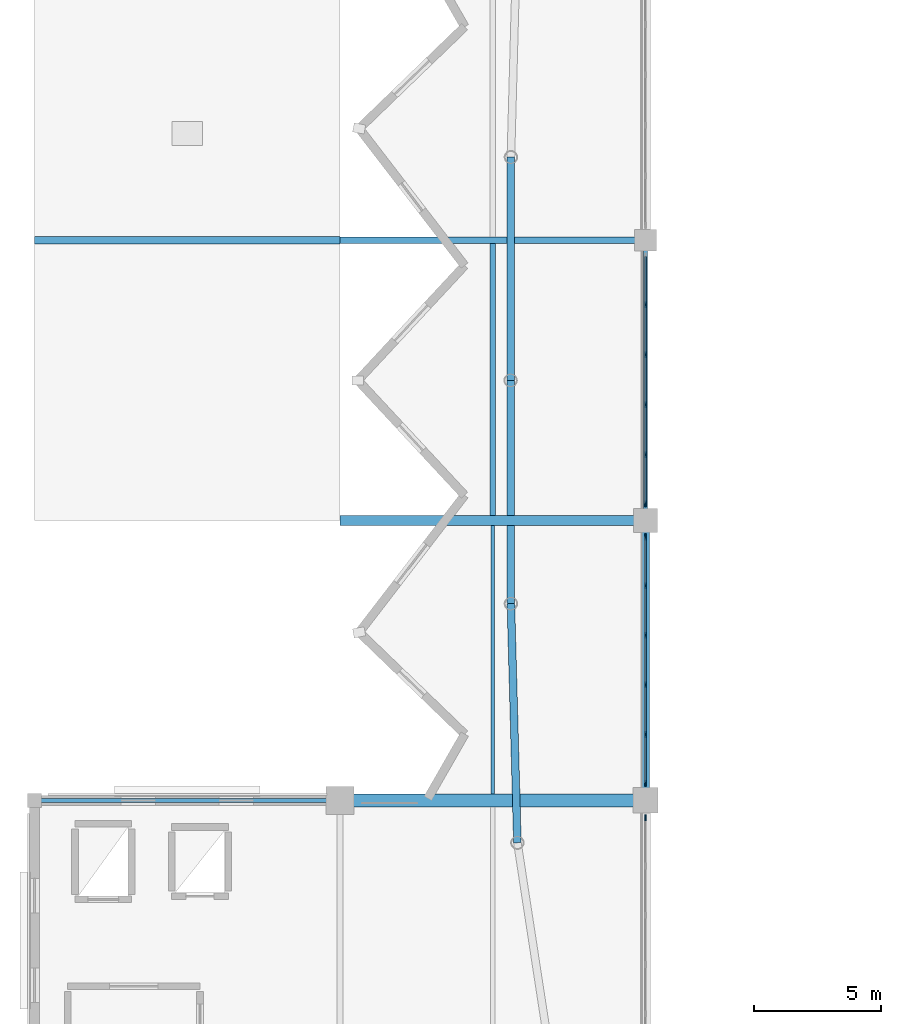
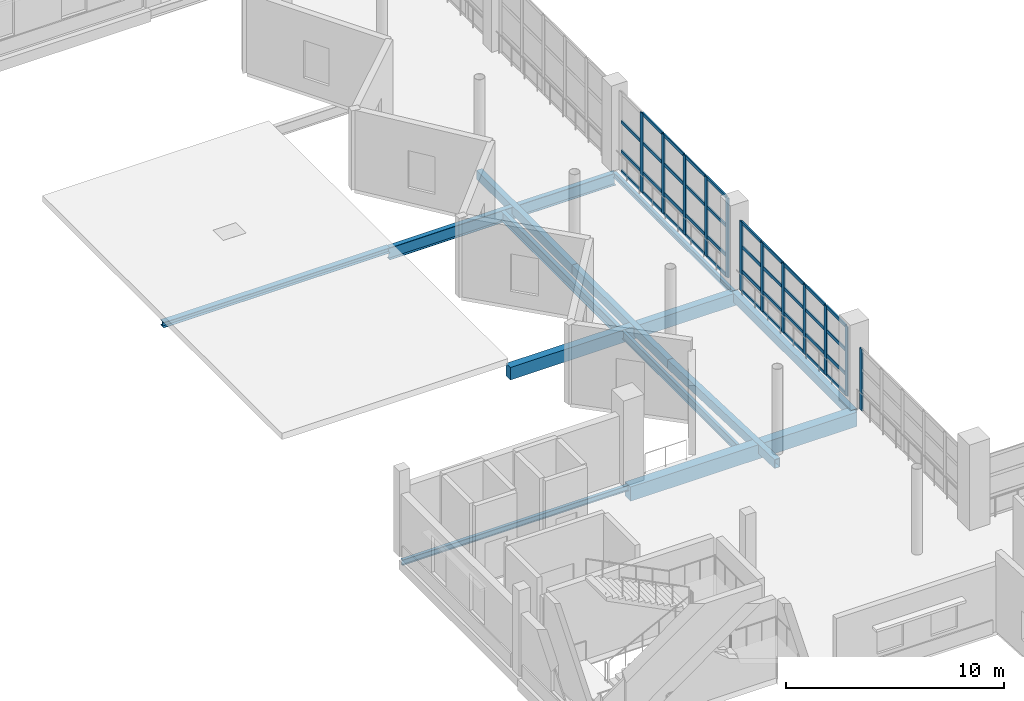
# One storey, part 14 of 53: 51 members, 12 beams, 3 elements without a shape of their own.
"""IFC4 building model written with IfcOpenShell, lengths in metres."""

from ifc_helpers import new_model, si_unit, direction, frame, origin, origin_2d, place, context, subcontext, project, spatial, rectangle, hollow_rectangle, i_section, extrude, material, material_profile, profile_set, type_object, element, aggregate, save


model = new_model("IFC4")

# Units and contexts
model_context = context("Model", 3, precision=1e-05, world=origin(), true_north=direction((0.0, 1.0)))
body_context = subcontext(model_context, "Body", "Model", "MODEL_VIEW")
ifc_project = project(units=[si_unit("LENGTHUNIT", "METRE"), si_unit("AREAUNIT", "SQUARE_METRE"), si_unit("VOLUMEUNIT", "CUBIC_METRE"), si_unit("PLANEANGLEUNIT", "RADIAN"), si_unit("MASSUNIT", "GRAM", prefix="KILO")], contexts=[model_context])

# Site, building, storey
site_placement = place(None, origin())
site = spatial("IfcSite", under=ifc_project, at=site_placement, CompositionType="ELEMENT")
building_placement = place(site_placement, origin())
building = spatial("IfcBuilding", under=site, at=building_placement, Name="Luwafu Chhajja Arena", CompositionType="ELEMENT")
storey_placement = place(building_placement, frame((0.0, 0.0, 19.5)))
storey = spatial("IfcBuildingStorey", under=building, at=storey_placement, Name="L04", CompositionType="ELEMENT", Elevation=19.5)

# Curtain wall, member
ifc_material_1 = material(Name="Anodised bronze aluminium", Category="aluminium")
curtain_wall_type = type_object("IfcCurtainWallType", Name="Media Ribbon Curtain Wall", PredefinedType="USERDEFINED", material=ifc_material_1)
curtain_wall_1_placement = place(storey_placement, origin())
curtain_wall_1 = element("IfcCurtainWall", 1, at=curtain_wall_1_placement, inside=storey, type_object=curtain_wall_type, Name="L04 Bowl Viewing Curtain Wall CWR-L04-15", ObjectType="CURTAIN WALL", PredefinedType="USERDEFINED")
ifc_material_profile_1 = material_profile(ifc_material_1, rectangle(XDim=0.070068359375, YDim=0.239990234375, at=origin_2d()), Name="CWM 70x240")
ifc_profile_set_1 = profile_set([ifc_material_profile_1], Name="Anodised bronze aluminium")
member_type_1 = type_object("IfcMemberType", Name="Bronze Curtain Wall Mullion 70x240", PredefinedType="MULLION", material=ifc_profile_set_1)
member_1_placement = place(storey_placement, frame((58.0, 32.324951171875, 0.0), z_axis=(0.0, 0.0, 1.0), x_axis=(-1.0, 0.0, 0.0)))
member_1 = element("IfcMember", 2, at=member_1_placement, type_object=member_type_1, Name="CW-03 mullion 6", PredefinedType="MULLION", context=body_context, shape_type="SweptSolid", body=[
    extrude(rectangle(XDim=0.070068359375, YDim=0.239990234375, at=origin_2d()), origin(), (0.0, 0.0, 1.0), 3.43994140625),
])
aggregate(curtain_wall_1, [member_1])

# Curtain wall, members
curtain_wall_2_placement = place(storey_placement, origin())
curtain_wall_2 = element("IfcCurtainWall", 3, at=curtain_wall_2_placement, inside=storey, type_object=curtain_wall_type, Name="L04 Bowl Viewing Curtain Wall CWR-L04-16", ObjectType="CURTAIN WALL", PredefinedType="USERDEFINED")
member_2_placement = place(storey_placement, frame((58.0, 33.675048828125, 0.0), z_axis=(0.0, 0.0, 1.0), x_axis=(-1.0, 0.0, 0.0)))
member_2 = element("IfcMember", 4, at=member_2_placement, type_object=member_type_1, Name="CW-03 mullion 1", PredefinedType="MULLION", context=body_context, shape_type="SweptSolid", body=[
    extrude(rectangle(XDim=0.070068359375, YDim=0.239990234375, at=origin_2d()), origin(), (0.0, 0.0, 1.0), 3.889892578125),
])
member_3_placement = place(storey_placement, frame((58.0, 35.589111328125, 0.0), z_axis=(0.0, 0.0, 1.0), x_axis=(-1.0, 0.0, 0.0)))
member_3 = element("IfcMember", 5, at=member_3_placement, type_object=member_type_1, Name="CW-03 mullion 2", PredefinedType="MULLION", context=body_context, shape_type="SweptSolid", body=[
    extrude(rectangle(XDim=0.070068359375, YDim=0.239990234375, at=origin_2d()), origin(), (0.0, 0.0, 1.0), 3.889892578125),
])
member_4_placement = place(storey_placement, frame((58.0, 37.5380859375, 0.0), z_axis=(0.0, 0.0, 1.0), x_axis=(-1.0, 0.0, 0.0)))
member_4 = element("IfcMember", 6, at=member_4_placement, type_object=member_type_1, Name="CW-03 mullion 3", PredefinedType="MULLION", context=body_context, shape_type="SweptSolid", body=[
    extrude(rectangle(XDim=0.070068359375, YDim=0.239990234375, at=origin_2d()), origin(), (0.0, 0.0, 1.0), 3.889892578125),
])
member_5_placement = place(storey_placement, frame((58.0, 39.487060546875, 0.0), z_axis=(0.0, 0.0, 1.0), x_axis=(-1.0, 0.0, 0.0)))
member_5 = element("IfcMember", 7, at=member_5_placement, type_object=member_type_1, Name="CW-03 mullion 4", PredefinedType="MULLION", context=body_context, shape_type="SweptSolid", body=[
    extrude(rectangle(XDim=0.070068359375, YDim=0.239990234375, at=origin_2d()), origin(), (0.0, 0.0, 1.0), 3.889892578125),
])
member_6_placement = place(storey_placement, frame((58.0, 41.43603515625, 0.0), z_axis=(0.0, 0.0, 1.0), x_axis=(-1.0, 0.0, 0.0)))
member_6 = element("IfcMember", 8, at=member_6_placement, type_object=member_type_1, Name="CW-03 mullion 5", PredefinedType="MULLION", context=body_context, shape_type="SweptSolid", body=[
    extrude(rectangle(XDim=0.070068359375, YDim=0.239990234375, at=origin_2d()), origin(), (0.0, 0.0, 1.0), 3.889892578125),
])
member_7_placement = place(storey_placement, frame((58.0, 43.35009765625, 0.0), z_axis=(0.0, 0.0, 1.0), x_axis=(-1.0, 0.0, 0.0)))
member_7 = element("IfcMember", 9, at=member_7_placement, type_object=member_type_1, Name="CW-03 mullion 6", PredefinedType="MULLION", context=body_context, shape_type="SweptSolid", body=[
    extrude(rectangle(XDim=0.070068359375, YDim=0.239990234375, at=origin_2d()), origin(), (0.0, 0.0, 1.0), 3.889892578125),
])

curtain_wall_3_placement = place(storey_placement, origin())
curtain_wall_3 = element("IfcCurtainWall", 10, at=curtain_wall_3_placement, inside=storey, type_object=curtain_wall_type, Name="L04 Bowl Viewing Curtain Wall CWR-L04-17", ObjectType="CURTAIN WALL", PredefinedType="USERDEFINED")
member_8_placement = place(storey_placement, frame((58.0, 44.64990234375, 0.0), z_axis=(0.0, 0.0, 1.0), x_axis=(-1.0, 0.0, 0.0)))
member_8 = element("IfcMember", 11, at=member_8_placement, type_object=member_type_1, Name="CW-03 mullion 1", PredefinedType="MULLION", context=body_context, shape_type="SweptSolid", body=[
    extrude(rectangle(XDim=0.070068359375, YDim=0.239990234375, at=origin_2d()), origin(), (0.0, 0.0, 1.0), 4.4599609375),
])
member_9_placement = place(storey_placement, frame((58.0, 46.5791015625, 0.0), z_axis=(0.0, 0.0, 1.0), x_axis=(-1.0, 0.0, 0.0)))
member_9 = element("IfcMember", 12, at=member_9_placement, type_object=member_type_1, Name="CW-03 mullion 2", PredefinedType="MULLION", context=body_context, shape_type="SweptSolid", body=[
    extrude(rectangle(XDim=0.070068359375, YDim=0.239990234375, at=origin_2d()), origin(), (0.0, 0.0, 1.0), 4.4599609375),
])
member_10_placement = place(storey_placement, frame((58.0, 48.54296875, 0.0), z_axis=(0.0, 0.0, 1.0), x_axis=(-1.0, 0.0, 0.0)))
member_10 = element("IfcMember", 13, at=member_10_placement, type_object=member_type_1, Name="CW-03 mullion 3", PredefinedType="MULLION", context=body_context, shape_type="SweptSolid", body=[
    extrude(rectangle(XDim=0.070068359375, YDim=0.239990234375, at=origin_2d()), origin(), (0.0, 0.0, 1.0), 4.4599609375),
])
member_11_placement = place(storey_placement, frame((58.0, 50.507080078125, 0.0), z_axis=(0.0, 0.0, 1.0), x_axis=(-1.0, 0.0, 0.0)))
member_11 = element("IfcMember", 14, at=member_11_placement, type_object=member_type_1, Name="CW-03 mullion 4", PredefinedType="MULLION", context=body_context, shape_type="SweptSolid", body=[
    extrude(rectangle(XDim=0.070068359375, YDim=0.239990234375, at=origin_2d()), origin(), (0.0, 0.0, 1.0), 4.4599609375),
])
member_12_placement = place(storey_placement, frame((58.0, 52.470947265625, 0.0), z_axis=(0.0, 0.0, 1.0), x_axis=(-1.0, 0.0, 0.0)))
member_12 = element("IfcMember", 15, at=member_12_placement, type_object=member_type_1, Name="CW-03 mullion 5", PredefinedType="MULLION", context=body_context, shape_type="SweptSolid", body=[
    extrude(rectangle(XDim=0.070068359375, YDim=0.239990234375, at=origin_2d()), origin(), (0.0, 0.0, 1.0), 4.4599609375),
])

# Member
ifc_material_profile_2 = material_profile(ifc_material_1, rectangle(XDim=0.070068359375, YDim=0.179931640625, at=origin_2d()), Name="CWT 70x180")
ifc_profile_set_2 = profile_set([ifc_material_profile_2], Name="Anodised bronze aluminium")
member_type_2 = type_object("IfcMemberType", Name="Bronze Curtain Wall Transom 70x180", PredefinedType="USERDEFINED", material=ifc_profile_set_2)
member_13_placement = place(storey_placement, frame((58.0, 33.7099609375, 0.034912109375), z_axis=(0.0, 1.0, 0.0), x_axis=(-1.0, 0.0, 0.0)))
member_13 = element("IfcMember", 16, at=member_13_placement, type_object=member_type_2, Name="CW-03 transom 1.1", ObjectType="TRANSOM", PredefinedType="USERDEFINED", context=body_context, shape_type="SweptSolid", body=[
    extrude(rectangle(XDim=0.070068359375, YDim=0.179931640625, at=origin_2d()), origin(), (0.0, 0.0, 1.0), 1.843994140625),
])

member_14_placement = place(storey_placement, frame((58.0, 33.7099609375, 1.14990234375), z_axis=(0.0, 1.0, 0.0), x_axis=(-1.0, 0.0, 0.0)))
member_14 = element("IfcMember", 17, at=member_14_placement, type_object=member_type_2, Name="CW-03 transom 1.2", ObjectType="TRANSOM", PredefinedType="USERDEFINED", context=body_context, shape_type="SweptSolid", body=[
    extrude(rectangle(XDim=0.070068359375, YDim=0.179931640625, at=origin_2d()), origin(), (0.0, 0.0, 1.0), 1.843994140625),
])

member_15_placement = place(storey_placement, frame((58.0, 33.7099609375, 2.52001953125), z_axis=(0.0, 1.0, 0.0), x_axis=(-1.0, 0.0, 0.0)))
member_15 = element("IfcMember", 18, at=member_15_placement, type_object=member_type_2, Name="CW-03 transom 1.3", ObjectType="TRANSOM", PredefinedType="USERDEFINED", context=body_context, shape_type="SweptSolid", body=[
    extrude(rectangle(XDim=0.070068359375, YDim=0.179931640625, at=origin_2d()), origin(), (0.0, 0.0, 1.0), 1.843994140625),
])

member_16_placement = place(storey_placement, frame((58.0, 33.7099609375, 3.85498046875), z_axis=(0.0, 1.0, 0.0), x_axis=(-1.0, 0.0, 0.0)))
member_16 = element("IfcMember", 19, at=member_16_placement, type_object=member_type_2, Name="CW-03 transom 1.4", ObjectType="TRANSOM", PredefinedType="USERDEFINED", context=body_context, shape_type="SweptSolid", body=[
    extrude(rectangle(XDim=0.070068359375, YDim=0.179931640625, at=origin_2d()), origin(), (0.0, 0.0, 1.0), 1.843994140625),
])

member_17_placement = place(storey_placement, frame((58.0, 35.6240234375, 0.034912109375), z_axis=(0.0, 1.0, 0.0), x_axis=(-1.0, 0.0, 0.0)))
member_17 = element("IfcMember", 20, at=member_17_placement, type_object=member_type_2, Name="CW-03 transom 2.1", ObjectType="TRANSOM", PredefinedType="USERDEFINED", context=body_context, shape_type="SweptSolid", body=[
    extrude(rectangle(XDim=0.070068359375, YDim=0.179931640625, at=origin_2d()), origin(), (0.0, 0.0, 1.0), 1.87890625),
])

member_18_placement = place(storey_placement, frame((58.0, 35.6240234375, 1.14990234375), z_axis=(0.0, 1.0, 0.0), x_axis=(-1.0, 0.0, 0.0)))
member_18 = element("IfcMember", 21, at=member_18_placement, type_object=member_type_2, Name="CW-03 transom 2.2", ObjectType="TRANSOM", PredefinedType="USERDEFINED", context=body_context, shape_type="SweptSolid", body=[
    extrude(rectangle(XDim=0.070068359375, YDim=0.179931640625, at=origin_2d()), origin(), (0.0, 0.0, 1.0), 1.87890625),
])

member_19_placement = place(storey_placement, frame((58.0, 35.6240234375, 2.52001953125), z_axis=(0.0, 1.0, 0.0), x_axis=(-1.0, 0.0, 0.0)))
member_19 = element("IfcMember", 22, at=member_19_placement, type_object=member_type_2, Name="CW-03 transom 2.3", ObjectType="TRANSOM", PredefinedType="USERDEFINED", context=body_context, shape_type="SweptSolid", body=[
    extrude(rectangle(XDim=0.070068359375, YDim=0.179931640625, at=origin_2d()), origin(), (0.0, 0.0, 1.0), 1.87890625),
])

member_20_placement = place(storey_placement, frame((58.0, 35.6240234375, 3.85498046875), z_axis=(0.0, 1.0, 0.0), x_axis=(-1.0, 0.0, 0.0)))
member_20 = element("IfcMember", 23, at=member_20_placement, type_object=member_type_2, Name="CW-03 transom 2.4", ObjectType="TRANSOM", PredefinedType="USERDEFINED", context=body_context, shape_type="SweptSolid", body=[
    extrude(rectangle(XDim=0.070068359375, YDim=0.179931640625, at=origin_2d()), origin(), (0.0, 0.0, 1.0), 1.87890625),
])

member_21_placement = place(storey_placement, frame((58.0, 37.572998046875, 0.034912109375), z_axis=(0.0, 1.0, 0.0), x_axis=(-1.0, 0.0, 0.0)))
member_21 = element("IfcMember", 24, at=member_21_placement, type_object=member_type_2, Name="CW-03 transom 3.1", ObjectType="TRANSOM", PredefinedType="USERDEFINED", context=body_context, shape_type="SweptSolid", body=[
    extrude(rectangle(XDim=0.070068359375, YDim=0.179931640625, at=origin_2d()), origin(), (0.0, 0.0, 1.0), 1.87890625),
])

member_22_placement = place(storey_placement, frame((58.0, 37.572998046875, 1.14990234375), z_axis=(0.0, 1.0, 0.0), x_axis=(-1.0, 0.0, 0.0)))
member_22 = element("IfcMember", 25, at=member_22_placement, type_object=member_type_2, Name="CW-03 transom 3.2", ObjectType="TRANSOM", PredefinedType="USERDEFINED", context=body_context, shape_type="SweptSolid", body=[
    extrude(rectangle(XDim=0.070068359375, YDim=0.179931640625, at=origin_2d()), origin(), (0.0, 0.0, 1.0), 1.87890625),
])

member_23_placement = place(storey_placement, frame((58.0, 37.572998046875, 2.52001953125), z_axis=(0.0, 1.0, 0.0), x_axis=(-1.0, 0.0, 0.0)))
member_23 = element("IfcMember", 26, at=member_23_placement, type_object=member_type_2, Name="CW-03 transom 3.3", ObjectType="TRANSOM", PredefinedType="USERDEFINED", context=body_context, shape_type="SweptSolid", body=[
    extrude(rectangle(XDim=0.070068359375, YDim=0.179931640625, at=origin_2d()), origin(), (0.0, 0.0, 1.0), 1.87890625),
])

member_24_placement = place(storey_placement, frame((58.0, 37.572998046875, 3.85498046875), z_axis=(0.0, 1.0, 0.0), x_axis=(-1.0, 0.0, 0.0)))
member_24 = element("IfcMember", 27, at=member_24_placement, type_object=member_type_2, Name="CW-03 transom 3.4", ObjectType="TRANSOM", PredefinedType="USERDEFINED", context=body_context, shape_type="SweptSolid", body=[
    extrude(rectangle(XDim=0.070068359375, YDim=0.179931640625, at=origin_2d()), origin(), (0.0, 0.0, 1.0), 1.87890625),
])

member_25_placement = place(storey_placement, frame((58.0, 39.52197265625, 0.034912109375), z_axis=(0.0, 1.0, 0.0), x_axis=(-1.0, 0.0, 0.0)))
member_25 = element("IfcMember", 28, at=member_25_placement, type_object=member_type_2, Name="CW-03 transom 4.1", ObjectType="TRANSOM", PredefinedType="USERDEFINED", context=body_context, shape_type="SweptSolid", body=[
    extrude(rectangle(XDim=0.070068359375, YDim=0.179931640625, at=origin_2d()), origin(), (0.0, 0.0, 1.0), 1.87890625),
])

member_26_placement = place(storey_placement, frame((58.0, 39.52197265625, 1.14990234375), z_axis=(0.0, 1.0, 0.0), x_axis=(-1.0, 0.0, 0.0)))
member_26 = element("IfcMember", 29, at=member_26_placement, type_object=member_type_2, Name="CW-03 transom 4.2", ObjectType="TRANSOM", PredefinedType="USERDEFINED", context=body_context, shape_type="SweptSolid", body=[
    extrude(rectangle(XDim=0.070068359375, YDim=0.179931640625, at=origin_2d()), origin(), (0.0, 0.0, 1.0), 1.87890625),
])

member_27_placement = place(storey_placement, frame((58.0, 39.52197265625, 2.52001953125), z_axis=(0.0, 1.0, 0.0), x_axis=(-1.0, 0.0, 0.0)))
member_27 = element("IfcMember", 30, at=member_27_placement, type_object=member_type_2, Name="CW-03 transom 4.3", ObjectType="TRANSOM", PredefinedType="USERDEFINED", context=body_context, shape_type="SweptSolid", body=[
    extrude(rectangle(XDim=0.070068359375, YDim=0.179931640625, at=origin_2d()), origin(), (0.0, 0.0, 1.0), 1.87890625),
])

member_28_placement = place(storey_placement, frame((58.0, 39.52197265625, 3.85498046875), z_axis=(0.0, 1.0, 0.0), x_axis=(-1.0, 0.0, 0.0)))
member_28 = element("IfcMember", 31, at=member_28_placement, type_object=member_type_2, Name="CW-03 transom 4.4", ObjectType="TRANSOM", PredefinedType="USERDEFINED", context=body_context, shape_type="SweptSolid", body=[
    extrude(rectangle(XDim=0.070068359375, YDim=0.179931640625, at=origin_2d()), origin(), (0.0, 0.0, 1.0), 1.87890625),
])

member_29_placement = place(storey_placement, frame((58.0, 41.470947265625, 0.034912109375), z_axis=(0.0, 1.0, 0.0), x_axis=(-1.0, 0.0, 0.0)))
member_29 = element("IfcMember", 32, at=member_29_placement, type_object=member_type_2, Name="CW-03 transom 5.1", ObjectType="TRANSOM", PredefinedType="USERDEFINED", context=body_context, shape_type="SweptSolid", body=[
    extrude(rectangle(XDim=0.070068359375, YDim=0.179931640625, at=origin_2d()), origin(), (0.0, 0.0, 1.0), 1.843994140625),
])

member_30_placement = place(storey_placement, frame((58.0, 41.470947265625, 1.14990234375), z_axis=(0.0, 1.0, 0.0), x_axis=(-1.0, 0.0, 0.0)))
member_30 = element("IfcMember", 33, at=member_30_placement, type_object=member_type_2, Name="CW-03 transom 5.2", ObjectType="TRANSOM", PredefinedType="USERDEFINED", context=body_context, shape_type="SweptSolid", body=[
    extrude(rectangle(XDim=0.070068359375, YDim=0.179931640625, at=origin_2d()), origin(), (0.0, 0.0, 1.0), 1.843994140625),
])

member_31_placement = place(storey_placement, frame((58.0, 41.470947265625, 2.52001953125), z_axis=(0.0, 1.0, 0.0), x_axis=(-1.0, 0.0, 0.0)))
member_31 = element("IfcMember", 34, at=member_31_placement, type_object=member_type_2, Name="CW-03 transom 5.3", ObjectType="TRANSOM", PredefinedType="USERDEFINED", context=body_context, shape_type="SweptSolid", body=[
    extrude(rectangle(XDim=0.070068359375, YDim=0.179931640625, at=origin_2d()), origin(), (0.0, 0.0, 1.0), 1.843994140625),
])

member_32_placement = place(storey_placement, frame((58.0, 41.470947265625, 3.85498046875), z_axis=(0.0, 1.0, 0.0), x_axis=(-1.0, 0.0, 0.0)))
member_32 = element("IfcMember", 35, at=member_32_placement, type_object=member_type_2, Name="CW-03 transom 5.4", ObjectType="TRANSOM", PredefinedType="USERDEFINED", context=body_context, shape_type="SweptSolid", body=[
    extrude(rectangle(XDim=0.070068359375, YDim=0.179931640625, at=origin_2d()), origin(), (0.0, 0.0, 1.0), 1.843994140625),
])

aggregate(curtain_wall_2, [member_2, member_3, member_4, member_5, member_6, member_7, member_13, member_14, member_15, member_16, member_17, member_18, member_19, member_20, member_21, member_22, member_23, member_24, member_25, member_26, member_27, member_28, member_29, member_30, member_31, member_32])

member_33_placement = place(storey_placement, frame((58.0, 44.68505859375, 0.034912109375), z_axis=(0.0, 1.0, 0.0), x_axis=(-1.0, 0.0, 0.0)))
member_33 = element("IfcMember", 36, at=member_33_placement, type_object=member_type_2, Name="CW-03 transom 1.1", ObjectType="TRANSOM", PredefinedType="USERDEFINED", context=body_context, shape_type="SweptSolid", body=[
    extrude(rectangle(XDim=0.070068359375, YDim=0.179931640625, at=origin_2d()), origin(), (0.0, 0.0, 1.0), 1.85888671875),
])

member_34_placement = place(storey_placement, frame((58.0, 44.68505859375, 1.14990234375), z_axis=(0.0, 1.0, 0.0), x_axis=(-1.0, 0.0, 0.0)))
member_34 = element("IfcMember", 37, at=member_34_placement, type_object=member_type_2, Name="CW-03 transom 1.2", ObjectType="TRANSOM", PredefinedType="USERDEFINED", context=body_context, shape_type="SweptSolid", body=[
    extrude(rectangle(XDim=0.070068359375, YDim=0.179931640625, at=origin_2d()), origin(), (0.0, 0.0, 1.0), 1.85888671875),
])

member_35_placement = place(storey_placement, frame((58.0, 44.68505859375, 2.804931640625), z_axis=(0.0, 1.0, 0.0), x_axis=(-1.0, 0.0, 0.0)))
member_35 = element("IfcMember", 38, at=member_35_placement, type_object=member_type_2, Name="CW-03 transom 1.3", ObjectType="TRANSOM", PredefinedType="USERDEFINED", context=body_context, shape_type="SweptSolid", body=[
    extrude(rectangle(XDim=0.070068359375, YDim=0.179931640625, at=origin_2d()), origin(), (0.0, 0.0, 1.0), 1.85888671875),
])

member_36_placement = place(storey_placement, frame((58.0, 44.68505859375, 4.425048828125), z_axis=(0.0, 1.0, 0.0), x_axis=(-1.0, 0.0, 0.0)))
member_36 = element("IfcMember", 39, at=member_36_placement, type_object=member_type_2, Name="CW-03 transom 1.4", ObjectType="TRANSOM", PredefinedType="USERDEFINED", context=body_context, shape_type="SweptSolid", body=[
    extrude(rectangle(XDim=0.070068359375, YDim=0.179931640625, at=origin_2d()), origin(), (0.0, 0.0, 1.0), 1.85888671875),
])

member_37_placement = place(storey_placement, frame((58.0, 46.614013671875, 0.034912109375), z_axis=(0.0, 1.0, 0.0), x_axis=(-1.0, 0.0, 0.0)))
member_37 = element("IfcMember", 40, at=member_37_placement, type_object=member_type_2, Name="CW-03 transom 2.1", ObjectType="TRANSOM", PredefinedType="USERDEFINED", context=body_context, shape_type="SweptSolid", body=[
    extrude(rectangle(XDim=0.070068359375, YDim=0.179931640625, at=origin_2d()), origin(), (0.0, 0.0, 1.0), 1.89404296875),
])

member_38_placement = place(storey_placement, frame((58.0, 46.614013671875, 1.14990234375), z_axis=(0.0, 1.0, 0.0), x_axis=(-1.0, 0.0, 0.0)))
member_38 = element("IfcMember", 41, at=member_38_placement, type_object=member_type_2, Name="CW-03 transom 2.2", ObjectType="TRANSOM", PredefinedType="USERDEFINED", context=body_context, shape_type="SweptSolid", body=[
    extrude(rectangle(XDim=0.070068359375, YDim=0.179931640625, at=origin_2d()), origin(), (0.0, 0.0, 1.0), 1.89404296875),
])

member_39_placement = place(storey_placement, frame((58.0, 46.614013671875, 2.804931640625), z_axis=(0.0, 1.0, 0.0), x_axis=(-1.0, 0.0, 0.0)))
member_39 = element("IfcMember", 42, at=member_39_placement, type_object=member_type_2, Name="CW-03 transom 2.3", ObjectType="TRANSOM", PredefinedType="USERDEFINED", context=body_context, shape_type="SweptSolid", body=[
    extrude(rectangle(XDim=0.070068359375, YDim=0.179931640625, at=origin_2d()), origin(), (0.0, 0.0, 1.0), 1.89404296875),
])

member_40_placement = place(storey_placement, frame((58.0, 46.614013671875, 4.425048828125), z_axis=(0.0, 1.0, 0.0), x_axis=(-1.0, 0.0, 0.0)))
member_40 = element("IfcMember", 43, at=member_40_placement, type_object=member_type_2, Name="CW-03 transom 2.4", ObjectType="TRANSOM", PredefinedType="USERDEFINED", context=body_context, shape_type="SweptSolid", body=[
    extrude(rectangle(XDim=0.070068359375, YDim=0.179931640625, at=origin_2d()), origin(), (0.0, 0.0, 1.0), 1.89404296875),
])

member_41_placement = place(storey_placement, frame((58.0, 48.577880859375, 0.034912109375), z_axis=(0.0, 1.0, 0.0), x_axis=(-1.0, 0.0, 0.0)))
member_41 = element("IfcMember", 44, at=member_41_placement, type_object=member_type_2, Name="CW-03 transom 3.1", ObjectType="TRANSOM", PredefinedType="USERDEFINED", context=body_context, shape_type="SweptSolid", body=[
    extrude(rectangle(XDim=0.070068359375, YDim=0.179931640625, at=origin_2d()), origin(), (0.0, 0.0, 1.0), 1.89404296875),
])

member_42_placement = place(storey_placement, frame((58.0, 48.577880859375, 1.14990234375), z_axis=(0.0, 1.0, 0.0), x_axis=(-1.0, 0.0, 0.0)))
member_42 = element("IfcMember", 45, at=member_42_placement, type_object=member_type_2, Name="CW-03 transom 3.2", ObjectType="TRANSOM", PredefinedType="USERDEFINED", context=body_context, shape_type="SweptSolid", body=[
    extrude(rectangle(XDim=0.070068359375, YDim=0.179931640625, at=origin_2d()), origin(), (0.0, 0.0, 1.0), 1.89404296875),
])

member_43_placement = place(storey_placement, frame((58.0, 48.577880859375, 2.804931640625), z_axis=(0.0, 1.0, 0.0), x_axis=(-1.0, 0.0, 0.0)))
member_43 = element("IfcMember", 46, at=member_43_placement, type_object=member_type_2, Name="CW-03 transom 3.3", ObjectType="TRANSOM", PredefinedType="USERDEFINED", context=body_context, shape_type="SweptSolid", body=[
    extrude(rectangle(XDim=0.070068359375, YDim=0.179931640625, at=origin_2d()), origin(), (0.0, 0.0, 1.0), 1.89404296875),
])

member_44_placement = place(storey_placement, frame((58.0, 48.577880859375, 4.425048828125), z_axis=(0.0, 1.0, 0.0), x_axis=(-1.0, 0.0, 0.0)))
member_44 = element("IfcMember", 47, at=member_44_placement, type_object=member_type_2, Name="CW-03 transom 3.4", ObjectType="TRANSOM", PredefinedType="USERDEFINED", context=body_context, shape_type="SweptSolid", body=[
    extrude(rectangle(XDim=0.070068359375, YDim=0.179931640625, at=origin_2d()), origin(), (0.0, 0.0, 1.0), 1.89404296875),
])

member_45_placement = place(storey_placement, frame((58.0, 50.5419921875, 0.034912109375), z_axis=(0.0, 1.0, 0.0), x_axis=(-1.0, 0.0, 0.0)))
member_45 = element("IfcMember", 48, at=member_45_placement, type_object=member_type_2, Name="CW-03 transom 4.1", ObjectType="TRANSOM", PredefinedType="USERDEFINED", context=body_context, shape_type="SweptSolid", body=[
    extrude(rectangle(XDim=0.070068359375, YDim=0.179931640625, at=origin_2d()), origin(), (0.0, 0.0, 1.0), 1.89404296875),
])

member_46_placement = place(storey_placement, frame((58.0, 50.5419921875, 1.14990234375), z_axis=(0.0, 1.0, 0.0), x_axis=(-1.0, 0.0, 0.0)))
member_46 = element("IfcMember", 49, at=member_46_placement, type_object=member_type_2, Name="CW-03 transom 4.2", ObjectType="TRANSOM", PredefinedType="USERDEFINED", context=body_context, shape_type="SweptSolid", body=[
    extrude(rectangle(XDim=0.070068359375, YDim=0.179931640625, at=origin_2d()), origin(), (0.0, 0.0, 1.0), 1.89404296875),
])

member_47_placement = place(storey_placement, frame((58.0, 50.5419921875, 2.804931640625), z_axis=(0.0, 1.0, 0.0), x_axis=(-1.0, 0.0, 0.0)))
member_47 = element("IfcMember", 50, at=member_47_placement, type_object=member_type_2, Name="CW-03 transom 4.3", ObjectType="TRANSOM", PredefinedType="USERDEFINED", context=body_context, shape_type="SweptSolid", body=[
    extrude(rectangle(XDim=0.070068359375, YDim=0.179931640625, at=origin_2d()), origin(), (0.0, 0.0, 1.0), 1.89404296875),
])

member_48_placement = place(storey_placement, frame((58.0, 50.5419921875, 4.425048828125), z_axis=(0.0, 1.0, 0.0), x_axis=(-1.0, 0.0, 0.0)))
member_48 = element("IfcMember", 51, at=member_48_placement, type_object=member_type_2, Name="CW-03 transom 4.4", ObjectType="TRANSOM", PredefinedType="USERDEFINED", context=body_context, shape_type="SweptSolid", body=[
    extrude(rectangle(XDim=0.070068359375, YDim=0.179931640625, at=origin_2d()), origin(), (0.0, 0.0, 1.0), 1.89404296875),
])

member_49_placement = place(storey_placement, frame((58.0, 52.506103515625, 0.034912109375), z_axis=(0.0, 1.0, 0.0), x_axis=(-1.0, 0.0, 0.0)))
member_49 = element("IfcMember", 52, at=member_49_placement, type_object=member_type_2, Name="CW-03 transom 5.1", ObjectType="TRANSOM", PredefinedType="USERDEFINED", context=body_context, shape_type="SweptSolid", body=[
    extrude(rectangle(XDim=0.070068359375, YDim=0.179931640625, at=origin_2d()), origin(), (0.0, 0.0, 1.0), 1.85888671875),
])

member_50_placement = place(storey_placement, frame((58.0, 52.506103515625, 1.14990234375), z_axis=(0.0, 1.0, 0.0), x_axis=(-1.0, 0.0, 0.0)))
member_50 = element("IfcMember", 53, at=member_50_placement, type_object=member_type_2, Name="CW-03 transom 5.2", ObjectType="TRANSOM", PredefinedType="USERDEFINED", context=body_context, shape_type="SweptSolid", body=[
    extrude(rectangle(XDim=0.070068359375, YDim=0.179931640625, at=origin_2d()), origin(), (0.0, 0.0, 1.0), 1.85888671875),
])

member_51_placement = place(storey_placement, frame((58.0, 52.506103515625, 2.804931640625), z_axis=(0.0, 1.0, 0.0), x_axis=(-1.0, 0.0, 0.0)))
member_51 = element("IfcMember", 54, at=member_51_placement, type_object=member_type_2, Name="CW-03 transom 5.3", ObjectType="TRANSOM", PredefinedType="USERDEFINED", context=body_context, shape_type="SweptSolid", body=[
    extrude(rectangle(XDim=0.070068359375, YDim=0.179931640625, at=origin_2d()), origin(), (0.0, 0.0, 1.0), 1.85888671875),
])

aggregate(curtain_wall_3, [member_8, member_9, member_10, member_11, member_12, member_33, member_34, member_35, member_36, member_37, member_38, member_39, member_40, member_41, member_42, member_43, member_44, member_45, member_46, member_47, member_48, member_49, member_50, member_51])

# Beams
ifc_material_2 = material(Name="Steel S355", Category="steel")
ifc_material_profile_3 = material_profile(ifc_material_2, i_section(OverallWidth=0.165771484375, OverallDepth=0.306640625, WebThickness=0.006591796875, FlangeThickness=0.01171875, at=origin_2d()), Name="UB 305x165x46")
ifc_profile_set_3 = profile_set([ifc_material_profile_3], Name="Steel S355")
beam_type_1 = type_object("IfcBeamType", Name="Concourse Edge Spandrel Beam UB 305x165x46", PredefinedType="SPANDREL", material=ifc_profile_set_3)
beam_1_placement = place(storey_placement, frame((34.0, 33.0, -0.543212890625), z_axis=(1.0, 0.0, 0.0), x_axis=(0.0, 1.0, 0.0)))
element("IfcBeam", 55, at=beam_1_placement, inside=storey, type_object=beam_type_1, Name="L04 Grid Beam 4-5/D", PredefinedType="SPANDREL", context=body_context, shape_type="SweptSolid", body=[
    extrude(i_section(OverallWidth=0.165771484375, OverallDepth=0.306640625, WebThickness=0.006591796875, FlangeThickness=0.01171875, at=origin_2d()), origin(), (0.0, 0.0, 1.0), 12.0),
])
beam_2_placement = place(storey_placement, frame((58.0, 44.0, -0.543212890625), z_axis=(0.0, 1.0, 0.0), x_axis=(-1.0, 0.0, 0.0)))
element("IfcBeam", 56, at=beam_2_placement, inside=storey, type_object=beam_type_1, Name="L04 Grid Beam 6/E-F", PredefinedType="SPANDREL", context=body_context, shape_type="SweptSolid", body=[
    extrude(i_section(OverallWidth=0.165771484375, OverallDepth=0.306640625, WebThickness=0.006591796875, FlangeThickness=0.01171875, at=origin_2d()), origin(), (0.0, 0.0, 1.0), 11.0),
])
ifc_material_profile_4 = material_profile(ifc_material_2, i_section(OverallWidth=0.15283203125, OverallDepth=0.45458984375, WebThickness=0.008056640625, FlangeThickness=0.01318359375, at=origin_2d()), Name="UB 457x152x60")
ifc_profile_set_4 = profile_set([ifc_material_profile_4], Name="Steel S355")
beam_type_2 = type_object("IfcBeamType", Name="Floor Joist UB 457x152x60", PredefinedType="JOIST", material=ifc_profile_set_4)
beam_3_placement = place(storey_placement, frame((52.0, 33.25, -0.6171875), z_axis=(0.0, 1.0, 0.0), x_axis=(-1.0, 0.0, 0.0)))
element("IfcBeam", 57, at=beam_3_placement, inside=storey, type_object=beam_type_2, Name="L04 Secondary Joist 5-6/D", PredefinedType="JOIST", context=body_context, shape_type="SweptSolid", body=[
    extrude(i_section(OverallWidth=0.15283203125, OverallDepth=0.45458984375, WebThickness=0.008056640625, FlangeThickness=0.01318359375, at=origin_2d()), origin(), (0.0, 0.0, 1.0), 10.550048828125),
])
ifc_material_profile_5 = material_profile(ifc_material_2, i_section(OverallWidth=0.2099609375, OverallDepth=0.53662109375, WebThickness=0.0107421875, FlangeThickness=0.017333984375, at=origin_2d()), Name="UB 533x210x101")
ifc_profile_set_5 = profile_set([ifc_material_profile_5], Name="Steel S355")
beam_type_3 = type_object("IfcBeamType", Name="Floor Joist UB 533x210x101", PredefinedType="JOIST", material=ifc_profile_set_5)
beam_4_placement = place(storey_placement, frame((52.0, 44.199951171875, -0.658447265625), z_axis=(0.0, 1.0, 0.0), x_axis=(-1.0, 0.0, 0.0)))
element("IfcBeam", 58, at=beam_4_placement, inside=storey, type_object=beam_type_3, Name="L04 Secondary Joist 5-6/E", PredefinedType="JOIST", context=body_context, shape_type="SweptSolid", body=[
    extrude(i_section(OverallWidth=0.2099609375, OverallDepth=0.53662109375, WebThickness=0.0107421875, FlangeThickness=0.017333984375, at=origin_2d()), origin(), (0.0, 0.0, 1.0), 10.67333984375),
])
ifc_material_3 = material(Name="Concrete C35/45", Category="concrete")
ifc_material_profile_6 = material_profile(ifc_material_3, rectangle(XDim=0.5, YDim=0.800048828125, at=origin_2d()), Name="RC 500x800")
ifc_profile_set_6 = profile_set([ifc_material_profile_6], Name="Concrete C35/45")
beam_type_4 = type_object("IfcBeamType", Name="Hospitality Primary Beam RC 500x800", PredefinedType="BEAM", material=ifc_profile_set_6)
beam_5_placement = place(storey_placement, frame((46.0, 33.0, -0.7900390625), z_axis=(1.0, 0.0, 0.0), x_axis=(0.0, 1.0, 0.0)))
element("IfcBeam", 59, at=beam_5_placement, inside=storey, type_object=beam_type_4, Name="L04 Grid Beam 5-6/D", PredefinedType="BEAM", context=body_context, shape_type="SweptSolid", body=[
    extrude(rectangle(XDim=0.5, YDim=0.800048828125, at=origin_2d()), origin(), (0.0, 0.0, 1.0), 12.0),
])
ifc_material_profile_7 = material_profile(ifc_material_2, hollow_rectangle(XDim=0.300048828125, YDim=0.5, WallThickness=0.02001953125, at=origin_2d()), Name="RHS 500x300x20")
ifc_profile_set_7 = profile_set([ifc_material_profile_7], Name="Steel S355")
beam_type_5 = type_object("IfcBeamType", Name="Pleated Drum Spandrel Beam RHS 500x300", PredefinedType="SPANDREL", material=ifc_profile_set_7)
beam_6_placement = place(storey_placement, frame((58.0, 33.0, -0.639892578125), z_axis=(0.0, 1.0, 0.0), x_axis=(-1.0, 0.0, 0.0)))
element("IfcBeam", 60, at=beam_6_placement, inside=storey, type_object=beam_type_5, Name="L04 Grid Beam 6/D-E", PredefinedType="SPANDREL", context=body_context, shape_type="SweptSolid", body=[
    extrude(hollow_rectangle(XDim=0.300048828125, YDim=0.5, WallThickness=0.02001953125, at=origin_2d()), origin(), (0.0, 0.0, 1.0), 11.0),
])
for number, where, z_axis, x_axis, name in (
    (61, (52.71240234375, 58.269775390625, -0.639892578125), (-0.001419780869, -0.999998992111, 0.0), (0.999998992111, -0.001419780869, 0.0), "L04 Drum Ring Spandrel D16-D17"),
    (62, (52.699951171875, 49.5, -0.639892578125), (0.001419780869, -0.999998992111, 0.0), (0.999998992111, 0.001419780869, 0.0), "L04 Drum Ring Spandrel D17-D18"),
):
    element("IfcBeam", number, at=place(storey_placement, frame(where, z_axis=z_axis, x_axis=x_axis)), inside=storey, type_object=beam_type_5, Name=name, PredefinedType="SPANDREL", context=body_context, shape_type="SweptSolid", body=[
        extrude(hollow_rectangle(XDim=0.300048828125, YDim=0.5, WallThickness=0.02001953125, at=origin_2d()), origin(), (0.0, 0.0, 1.0), 8.769775390625),
    ])
beam_7_placement = place(storey_placement, frame((52.71240234375, 40.730224609375, -0.639892578125), z_axis=(0.02720805866, -0.999629792245, 0.0), x_axis=(0.999629792245, 0.02720805866, 0.0)))
element("IfcBeam", 63, at=beam_7_placement, inside=storey, type_object=beam_type_5, Name="L04 Drum Ring Spandrel D18-D19", PredefinedType="SPANDREL", context=body_context, shape_type="SweptSolid", body=[
    extrude(hollow_rectangle(XDim=0.300048828125, YDim=0.5, WallThickness=0.02001953125, at=origin_2d()), origin(), (0.0, 0.0, 1.0), 9.394775390625),
])
ifc_material_profile_8 = material_profile(ifc_material_2, i_section(OverallWidth=0.253662109375, OverallDepth=0.68359375, WebThickness=0.012451171875, FlangeThickness=0.01904296875, at=origin_2d()), Name="UB 686x254x140")
ifc_profile_set_8 = profile_set([ifc_material_profile_8], Name="Steel S355")
beam_type_6 = type_object("IfcBeamType", Name="Steel Concourse Girder UB 686x254x140", PredefinedType="BEAM", material=ifc_profile_set_8)
beam_8_placement = place(storey_placement, frame((46.0, 55.0, -0.731689453125), z_axis=(1.0, 0.0, 0.0), x_axis=(0.0, 1.0, 0.0)))
element("IfcBeam", 64, at=beam_8_placement, inside=storey, type_object=beam_type_6, Name="L04 Grid Beam 5-6/F", PredefinedType="BEAM", context=body_context, shape_type="SweptSolid", body=[
    extrude(i_section(OverallWidth=0.253662109375, OverallDepth=0.68359375, WebThickness=0.012451171875, FlangeThickness=0.01904296875, at=origin_2d()), origin(), (0.0, 0.0, 1.0), 12.0),
])
ifc_material_profile_9 = material_profile(ifc_material_2, i_section(OverallWidth=0.300048828125, OverallDepth=0.300048828125, WebThickness=0.010986328125, FlangeThickness=0.01904296875, at=origin_2d()), Name="HEB 300")
ifc_profile_set_9 = profile_set([ifc_material_profile_9], Name="Steel S355")
beam_type_7 = type_object("IfcBeamType", Name="Steel Core Cap Beam HEB 300", PredefinedType="BEAM", material=ifc_profile_set_9)
beam_9_placement = place(storey_placement, frame((34.0, 55.0, -0.52001953125), z_axis=(1.0, 0.0, 0.0), x_axis=(0.0, 1.0, 0.0)))
element("IfcBeam", 65, at=beam_9_placement, inside=storey, type_object=beam_type_7, Name="L04 Core C5 Cap Beam M", PredefinedType="BEAM", context=body_context, shape_type="SweptSolid", body=[
    extrude(i_section(OverallWidth=0.300048828125, OverallDepth=0.300048828125, WebThickness=0.010986328125, FlangeThickness=0.01904296875, at=origin_2d()), origin(), (0.0, 0.0, 1.0), 12.0),
])
ifc_material_profile_10 = material_profile(ifc_material_3, rectangle(XDim=0.39990234375, YDim=0.699951171875, at=origin_2d()), Name="RC 400x700")
ifc_profile_set_10 = profile_set([ifc_material_profile_10], Name="Concrete C35/45")
beam_type_8 = type_object("IfcBeamType", Name="Wing Frame Beam RC 400x700", PredefinedType="BEAM", material=ifc_profile_set_10)
beam_10_placement = place(storey_placement, frame((46.0, 44.0, -0.739990234375), z_axis=(1.0, 0.0, 0.0), x_axis=(0.0, 1.0, 0.0)))
element("IfcBeam", 66, at=beam_10_placement, inside=storey, type_object=beam_type_8, Name="L04 Grid Beam 5-6/E", PredefinedType="BEAM", context=body_context, shape_type="SweptSolid", body=[
    extrude(rectangle(XDim=0.39990234375, YDim=0.699951171875, at=origin_2d()), origin(), (0.0, 0.0, 1.0), 12.0),
])

save(model, "model.ifc")
